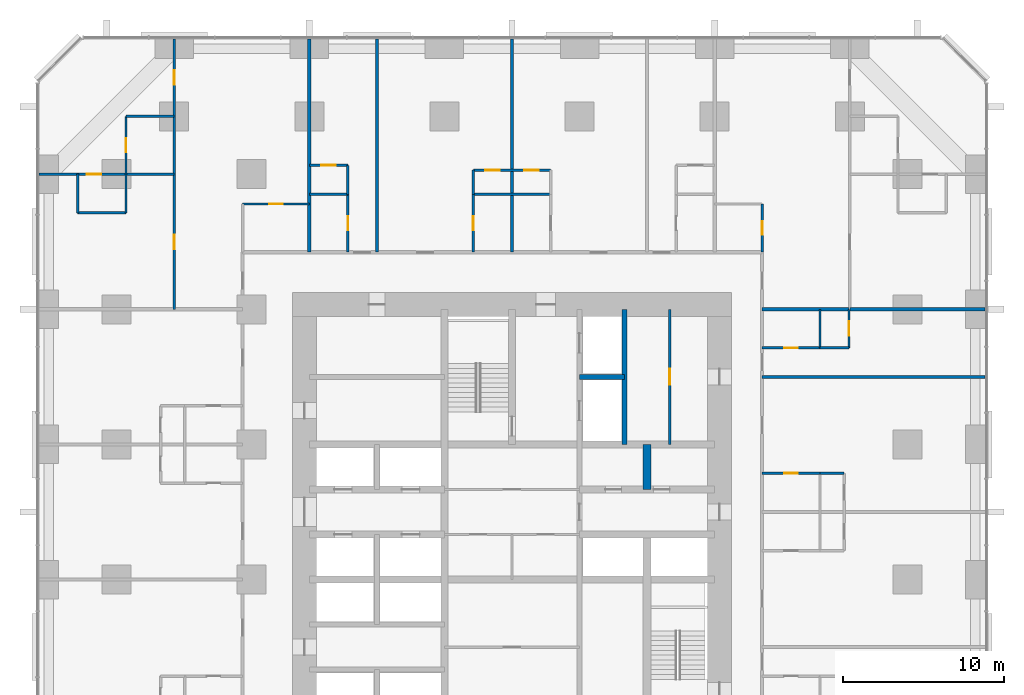
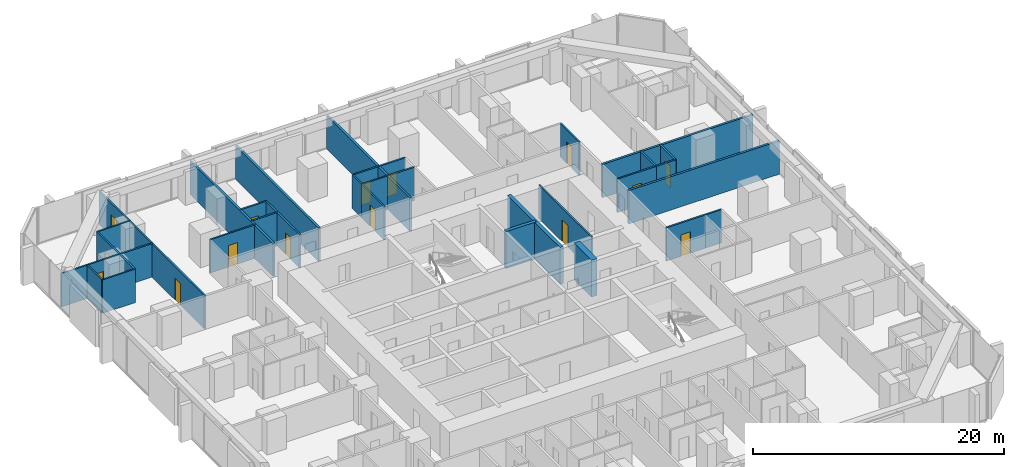
# One storey, part 15 of 17: 33 walls, 15 doors, 15 openings.
"""IFC4 building model written with IfcOpenShell, lengths in metres."""

from ifc_helpers import new_model, si_unit, direction, frame, frame_2d, origin, place, context, subcontext, project, spatial, rectangle, extrude, material, layer, layer_set, type_object, element, fill, save


model = new_model("IFC4")

# Units and contexts
model_context = context("Model", 3, precision=1e-05, world=origin(), true_north=direction((0.0, 1.0)))
body_context = subcontext(model_context, "Body", "Model", "MODEL_VIEW")
ifc_project = project(units=[si_unit("LENGTHUNIT", "METRE"), si_unit("AREAUNIT", "SQUARE_METRE"), si_unit("VOLUMEUNIT", "CUBIC_METRE"), si_unit("PLANEANGLEUNIT", "RADIAN"), si_unit("MASSUNIT", "GRAM", prefix="KILO")], contexts=[model_context])

# Site, building, storey
site_placement = place(None, origin())
site = spatial("IfcSite", under=ifc_project, at=site_placement, CompositionType="ELEMENT")
building_placement = place(site_placement, origin())
building = spatial("IfcBuilding", under=site, at=building_placement, Name="Dunama Terrace Hotel", CompositionType="ELEMENT")
storey_placement = place(building_placement, frame((0.0, 0.0, 73.800048828125)))
storey = spatial("IfcBuildingStorey", under=building, at=storey_placement, Name="L18", CompositionType="ELEMENT", Elevation=73.800048828125)

# Wall, opening, door
ifc_material_1 = material(Name="Gypsum board partition", Category="masonry")
ifc_layer_1 = layer(ifc_material_1, 0.14990234375)
ifc_layer_set_1 = layer_set([ifc_layer_1], Name="Bathroom partition 150")
wall_type_1 = type_object("IfcWallType", Name="Bathroom partition 150", PredefinedType="PARTITIONING", material=ifc_layer_set_1)
wall_1_placement = place(storey_placement, frame((5.39990234375, 50.39990234375, 0.0), z_axis=(0.0, 0.0, 1.0), x_axis=(0.0, 1.0, 0.0)))
wall_1 = element("IfcWall", 1, at=wall_1_placement, inside=storey, type_object=wall_type_1, Name="Bathroom partition 150 L18", PredefinedType="PARTITIONING", context=body_context, shape_type="SweptSolid", body=[
    extrude(rectangle(XDim=3.60009765625, YDim=0.14990234375, at=frame_2d((1.800048828125, 0.0))), origin(), (0.0, 0.0, 1.0), 3.25),
])
opening_1_placement = place(wall_1_placement, frame((1.375, 0.0, 0.0)))
opening_1 = element("IfcOpeningElement", 2, at=opening_1_placement, cuts=wall_1, Name="Opening L17-19-081", PredefinedType="OPENING", context=body_context, shape_type="SweptSolid", body=[
    extrude(rectangle(XDim=0.85009765625, YDim=2.10009765625, at=frame_2d((0.425048828125, 1.050048828125))), frame((0.0, 0.0849609375, 0.0), z_axis=(0.0, -1.0, 0.0), x_axis=(1.0, 0.0, 0.0)), (0.0, 0.0, 1.0), 0.169921875),
])
ifc_material_2 = material(Name="Timber door with steel frame", Category="steel")
door_type_1 = type_object("IfcDoorType", Name="Bathroom door 850", OperationType="SINGLE_SWING_LEFT", PredefinedType="DOOR", material=ifc_material_2)
door_1_placement = place(opening_1_placement, frame((0.85009765625, 0.0, 0.0), z_axis=(0.0, 0.0, 1.0), x_axis=(-1.0, 0.0, 0.0)))
door_1 = element("IfcDoor", 3, at=door_1_placement, inside=storey, type_object=door_type_1, Name="Door to en-suite bathroom L17-19-081, type D2", OperationType="SINGLE_SWING_RIGHT", OverallHeight=2.10009765625, OverallWidth=0.85009765625, PredefinedType="DOOR", context=body_context, shape_type="SweptSolid", body=[
    extrude(rectangle(XDim=0.85009765625, YDim=2.10009765625, at=frame_2d((0.425048828125, 1.050048828125))), frame((0.0, 0.025146484375, 0.0), z_axis=(0.0, -1.0, 0.0), x_axis=(1.0, 0.0, 0.0)), (0.0, 0.0, 1.0), 0.050048828125),
])
fill(opening_1, door_1)

wall_2_placement = place(storey_placement, frame((19.199951171875, 45.550048828125, 0.0), z_axis=(0.0, 0.0, 1.0), x_axis=(0.0, 1.0, 0.0)))
wall_2 = element("IfcWall", 4, at=wall_2_placement, inside=storey, type_object=wall_type_1, Name="Bathroom partition 150 L18", PredefinedType="PARTITIONING", context=body_context, shape_type="SweptSolid", body=[
    extrude(rectangle(XDim=3.599853515625, YDim=0.14990234375, at=frame_2d((1.7998046875, 0.0))), origin(), (0.0, 0.0, 1.0), 3.25),
])
opening_2_placement = place(wall_2_placement, frame((1.375, 0.0, 0.0)))
opening_2 = element("IfcOpeningElement", 5, at=opening_2_placement, cuts=wall_2, Name="Opening L17-19-040", PredefinedType="OPENING", context=body_context, shape_type="SweptSolid", body=[
    extrude(rectangle(XDim=0.85009765625, YDim=2.10009765625, at=frame_2d((0.425048828125, 1.050048828125))), frame((0.0, 0.0849609375, 0.0), z_axis=(0.0, -1.0, 0.0), x_axis=(1.0, 0.0, 0.0)), (0.0, 0.0, 1.0), 0.169921875),
])
door_2_placement = place(opening_2_placement, origin())
door_2 = element("IfcDoor", 6, at=door_2_placement, inside=storey, type_object=door_type_1, Name="Door to en-suite bathroom L17-19-040, type D2", OperationType="SINGLE_SWING_LEFT", OverallHeight=2.10009765625, OverallWidth=0.85009765625, PredefinedType="DOOR", context=body_context, shape_type="SweptSolid", body=[
    extrude(rectangle(XDim=0.85009765625, YDim=2.10009765625, at=frame_2d((0.425048828125, 1.050048828125))), frame((0.0, 0.02490234375, 0.0), z_axis=(0.0, -1.0, 0.0), x_axis=(1.0, 0.0, 0.0)), (0.0, 0.0, 1.0), 0.050048828125),
])
fill(opening_2, door_2)

wall_3_placement = place(storey_placement, frame((27.0, 45.550048828125, 0.0), z_axis=(0.0, 0.0, 1.0), x_axis=(0.0, 1.0, 0.0)))
wall_3 = element("IfcWall", 7, at=wall_3_placement, inside=storey, type_object=wall_type_1, Name="Bathroom partition 150 L18", PredefinedType="PARTITIONING", context=body_context, shape_type="SweptSolid", body=[
    extrude(rectangle(XDim=3.599853515625, YDim=0.14990234375, at=frame_2d((1.7998046875, 0.0))), origin(), (0.0, 0.0, 1.0), 3.25),
])
opening_3_placement = place(wall_3_placement, frame((1.375, 0.0, 0.0)))
opening_3 = element("IfcOpeningElement", 8, at=opening_3_placement, cuts=wall_3, Name="Opening L17-19-043", PredefinedType="OPENING", context=body_context, shape_type="SweptSolid", body=[
    extrude(rectangle(XDim=0.85009765625, YDim=2.10009765625, at=frame_2d((0.425048828125, 1.050048828125))), frame((0.0, 0.0849609375, 0.0), z_axis=(0.0, -1.0, 0.0), x_axis=(1.0, 0.0, 0.0)), (0.0, 0.0, 1.0), 0.169921875),
])
door_3_placement = place(opening_3_placement, frame((0.85009765625, 0.0, 0.0), z_axis=(0.0, 0.0, 1.0), x_axis=(-1.0, 0.0, 0.0)))
door_3 = element("IfcDoor", 9, at=door_3_placement, inside=storey, type_object=door_type_1, Name="Door to en-suite bathroom L17-19-043, type D2", OperationType="SINGLE_SWING_RIGHT", OverallHeight=2.10009765625, OverallWidth=0.85009765625, PredefinedType="DOOR", context=body_context, shape_type="SweptSolid", body=[
    extrude(rectangle(XDim=0.85009765625, YDim=2.10009765625, at=frame_2d((0.425048828125, 1.050048828125))), frame((0.0, 0.025146484375, 0.0), z_axis=(0.0, -1.0, 0.0), x_axis=(1.0, 0.0, 0.0)), (0.0, 0.0, 1.0), 0.050048828125),
])
fill(opening_3, door_3)

wall_4_placement = place(storey_placement, frame((44.949951171875, 45.550048828125, 0.0), z_axis=(0.0, 0.0, 1.0), x_axis=(0.0, 1.0, 0.0)))
wall_4 = element("IfcWall", 10, at=wall_4_placement, inside=storey, type_object=wall_type_1, Name="Bathroom partition 150 L18", PredefinedType="PARTITIONING", context=body_context, shape_type="SweptSolid", body=[
    extrude(rectangle(XDim=3.0, YDim=0.14990234375, at=frame_2d((1.5, 0.0))), origin(), (0.0, 0.0, 1.0), 3.25),
])
opening_4_placement = place(wall_4_placement, frame((1.074951171875, 0.0, 0.0)))
opening_4 = element("IfcOpeningElement", 11, at=opening_4_placement, cuts=wall_4, Name="Opening L17-19-073", PredefinedType="OPENING", context=body_context, shape_type="SweptSolid", body=[
    extrude(rectangle(XDim=0.85009765625, YDim=2.10009765625, at=frame_2d((0.425048828125, 1.050048828125))), frame((0.0, 0.0849609375, 0.0), z_axis=(0.0, -1.0, 0.0), x_axis=(1.0, 0.0, 0.0)), (0.0, 0.0, 1.0), 0.169921875),
])
door_4_placement = place(opening_4_placement, origin())
door_4 = element("IfcDoor", 12, at=door_4_placement, inside=storey, type_object=door_type_1, Name="Door to powder room L17-19-073, type D2", OperationType="SINGLE_SWING_LEFT", OverallHeight=2.10009765625, OverallWidth=0.85009765625, PredefinedType="DOOR", context=body_context, shape_type="SweptSolid", body=[
    extrude(rectangle(XDim=0.85009765625, YDim=2.10009765625, at=frame_2d((0.425048828125, 1.050048828125))), frame((0.0, 0.02490234375, 0.0), z_axis=(0.0, -1.0, 0.0), x_axis=(1.0, 0.0, 0.0)), (0.0, 0.0, 1.0), 0.050048828125),
])
fill(opening_4, door_4)

wall_5_placement = place(storey_placement, frame((44.949951171875, 31.800048828125, 0.0), z_axis=(0.0, 0.0, 1.0), x_axis=(1.0, 0.0, 0.0)))
wall_5 = element("IfcWall", 13, at=wall_5_placement, inside=storey, type_object=wall_type_1, Name="Bathroom partition 150 L18", PredefinedType="PARTITIONING", context=body_context, shape_type="SweptSolid", body=[
    extrude(rectangle(XDim=3.60009765625, YDim=0.14990234375, at=frame_2d((1.800048828125, 0.0))), origin(), (0.0, 0.0, 1.0), 3.25),
])
opening_5_placement = place(wall_5_placement, frame((1.375, 0.0, 0.0)))
opening_5 = element("IfcOpeningElement", 14, at=opening_5_placement, cuts=wall_5, Name="Opening L17-19-034", PredefinedType="OPENING", context=body_context, shape_type="SweptSolid", body=[
    extrude(rectangle(XDim=0.85009765625, YDim=2.10009765625, at=frame_2d((0.425048828125, 1.050048828125))), frame((0.0, 0.0849609375, 0.0), z_axis=(0.0, -1.0, 0.0), x_axis=(1.0, 0.0, 0.0)), (0.0, 0.0, 1.0), 0.169921875),
])
door_5_placement = place(opening_5_placement, frame((0.85009765625, 0.0, 0.0), z_axis=(0.0, 0.0, 1.0), x_axis=(-1.0, 0.0, 0.0)))
door_5 = element("IfcDoor", 15, at=door_5_placement, inside=storey, type_object=door_type_1, Name="Door to en-suite bathroom L17-19-034, type D2", OperationType="SINGLE_SWING_RIGHT", OverallHeight=2.10009765625, OverallWidth=0.85009765625, PredefinedType="DOOR", context=body_context, shape_type="SweptSolid", body=[
    extrude(rectangle(XDim=0.85009765625, YDim=2.10009765625, at=frame_2d((0.425048828125, 1.050048828125))), frame((0.0, 0.025146484375, 0.0), z_axis=(0.0, -1.0, 0.0), x_axis=(1.0, 0.0, 0.0)), (0.0, 0.0, 1.0), 0.050048828125),
])
fill(opening_5, door_5)

wall_6_placement = place(storey_placement, frame((44.949951171875, 39.60009765625, 0.0), z_axis=(0.0, 0.0, 1.0), x_axis=(1.0, 0.0, 0.0)))
wall_6 = element("IfcWall", 16, at=wall_6_placement, inside=storey, type_object=wall_type_1, Name="Bathroom partition 150 L18", PredefinedType="PARTITIONING", context=body_context, shape_type="SweptSolid", body=[
    extrude(rectangle(XDim=3.60009765625, YDim=0.14990234375, at=frame_2d((1.800048828125, 0.0))), origin(), (0.0, 0.0, 1.0), 3.25),
])
opening_6_placement = place(wall_6_placement, frame((1.375, 0.0, 0.0)))
opening_6 = element("IfcOpeningElement", 17, at=opening_6_placement, cuts=wall_6, Name="Opening L17-19-037", PredefinedType="OPENING", context=body_context, shape_type="SweptSolid", body=[
    extrude(rectangle(XDim=0.85009765625, YDim=2.10009765625, at=frame_2d((0.425048828125, 1.050048828125))), frame((0.0, 0.0849609375, 0.0), z_axis=(0.0, -1.0, 0.0), x_axis=(1.0, 0.0, 0.0)), (0.0, 0.0, 1.0), 0.169921875),
])
door_6_placement = place(opening_6_placement, origin())
door_6 = element("IfcDoor", 18, at=door_6_placement, inside=storey, type_object=door_type_1, Name="Door to en-suite bathroom L17-19-037, type D2", OperationType="SINGLE_SWING_LEFT", OverallHeight=2.10009765625, OverallWidth=0.85009765625, PredefinedType="DOOR", context=body_context, shape_type="SweptSolid", body=[
    extrude(rectangle(XDim=0.85009765625, YDim=2.10009765625, at=frame_2d((0.425048828125, 1.050048828125))), frame((0.0, 0.02490234375, 0.0), z_axis=(0.0, -1.0, 0.0), x_axis=(1.0, 0.0, 0.0)), (0.0, 0.0, 1.0), 0.050048828125),
])
fill(opening_6, door_6)

wall_7_placement = place(storey_placement, frame((12.64990234375, 48.550048828125, 0.0), z_axis=(0.0, 0.0, 1.0), x_axis=(1.0, 0.0, 0.0)))
wall_7 = element("IfcWall", 19, at=wall_7_placement, inside=storey, type_object=wall_type_1, Name="Bathroom partition 150 L18", PredefinedType="PARTITIONING", context=body_context, shape_type="SweptSolid", body=[
    extrude(rectangle(XDim=4.150146484375, YDim=0.14990234375, at=frame_2d((2.0751953125, 0.0))), origin(), (0.0, 0.0, 1.0), 3.25),
])
opening_7_placement = place(wall_7_placement, frame((1.64990234375, 0.0, 0.0)))
opening_7 = element("IfcOpeningElement", 20, at=opening_7_placement, cuts=wall_7, Name="Opening L17-19-079", PredefinedType="OPENING", context=body_context, shape_type="SweptSolid", body=[
    extrude(rectangle(XDim=0.85009765625, YDim=2.10009765625, at=frame_2d((0.425048828125, 1.050048828125))), frame((0.0, 0.0849609375, 0.0), z_axis=(0.0, -1.0, 0.0), x_axis=(1.0, 0.0, 0.0)), (0.0, 0.0, 1.0), 0.169921875),
])
door_7_placement = place(opening_7_placement, frame((0.85009765625, 0.0, 0.0), z_axis=(0.0, 0.0, 1.0), x_axis=(-1.0, 0.0, 0.0)))
door_7 = element("IfcDoor", 21, at=door_7_placement, inside=storey, type_object=door_type_1, Name="Door to powder room L17-19-079, type D2", OperationType="SINGLE_SWING_RIGHT", OverallHeight=2.10009765625, OverallWidth=0.85009765625, PredefinedType="DOOR", context=body_context, shape_type="SweptSolid", body=[
    extrude(rectangle(XDim=0.85009765625, YDim=2.10009765625, at=frame_2d((0.425048828125, 1.050048828125))), frame((0.0, 0.025146484375, 0.0), z_axis=(0.0, -1.0, 0.0), x_axis=(1.0, 0.0, 0.0)), (0.0, 0.0, 1.0), 0.050048828125),
])
fill(opening_7, door_7)

# Walls
wall_8_placement = place(storey_placement, frame((5.39990234375, 54.0, 0.0), z_axis=(0.0, 0.0, 1.0), x_axis=(1.0, 0.0, 0.0)))
element("IfcWall", 22, at=wall_8_placement, inside=storey, type_object=wall_type_1, Name="Bathroom partition 150 L18", PredefinedType="PARTITIONING", context=body_context, shape_type="SweptSolid", body=[
    extrude(rectangle(XDim=3.0, YDim=0.14990234375, at=frame_2d((1.5, 0.0))), origin(), (0.0, 0.0, 1.0), 3.25),
])
ifc_material_3 = material(Name="Concrete C50/60", Category="concrete")
ifc_layer_2 = layer(ifc_material_3, 0.300048828125)
ifc_layer_set_2 = layer_set([ifc_layer_2], Name="Core inner wall 300")
wall_type_2 = type_object("IfcWallType", Name="Core inner wall 300", PredefinedType="SHEAR", material=ifc_layer_set_2)
wall_9_placement = place(storey_placement, frame((36.39990234375, 33.60009765625, -0.35009765625), z_axis=(0.0, 0.0, 1.0), x_axis=(0.0, 1.0, 0.0)))
element("IfcWall", 23, at=wall_9_placement, inside=storey, type_object=wall_type_2, Name="Core inner wall 300 L18", PredefinedType="SHEAR", context=body_context, shape_type="SweptSolid", body=[
    extrude(rectangle(XDim=8.39990234375, YDim=0.300048828125, at=frame_2d((4.199951171875, 0.0))), origin(), (0.0, 0.0, 1.0), 3.60009765625),
])
wall_10_placement = place(storey_placement, frame((33.60009765625, 37.800048828125, -0.35009765625), z_axis=(0.0, 0.0, 1.0), x_axis=(1.0, 0.0, 0.0)))
element("IfcWall", 24, at=wall_10_placement, inside=storey, type_object=wall_type_2, Name="Core inner wall 300 L18", PredefinedType="SHEAR", context=body_context, shape_type="SweptSolid", body=[
    extrude(rectangle(XDim=2.7998046875, YDim=0.300048828125, at=frame_2d((1.39990234375, 0.0))), origin(), (0.0, 0.0, 1.0), 3.60009765625),
])
ifc_material_4 = material(Name="Concrete C50/60", Category="concrete")
ifc_layer_3 = layer(ifc_material_4, 0.5)
ifc_layer_set_3 = layer_set([ifc_layer_3], Name="Core inner wall 500")
wall_type_3 = type_object("IfcWallType", Name="Core inner wall 500", PredefinedType="SHEAR", material=ifc_layer_set_3)
wall_11_placement = place(storey_placement, frame((37.800048828125, 30.800048828125, -0.35009765625), z_axis=(0.0, 0.0, 1.0), x_axis=(0.0, 1.0, 0.0)))
element("IfcWall", 25, at=wall_11_placement, inside=storey, type_object=wall_type_3, Name="Core inner wall 500 L18", PredefinedType="SHEAR", context=body_context, shape_type="SweptSolid", body=[
    extrude(rectangle(XDim=2.800048828125, YDim=0.5, at=frame_2d((1.39990234375, 0.0))), origin(), (0.0, 0.0, 1.0), 3.60009765625),
])
ifc_material_5 = material(Name="Concrete blockwork", Category="masonry")
ifc_layer_4 = layer(ifc_material_5, 0.199951171875)
ifc_layer_set_4 = layer_set([ifc_layer_4], Name="Party wall 200")
wall_type_4 = type_object("IfcWallType", Name="Party wall 200", PredefinedType="PARTITIONING", material=ifc_layer_set_4)
for number, where, z_axis, x_axis, name in (
    (26, (16.800048828125, 45.550048828125, 0.0), (0.0, 0.0, 1.0), (0.0, 1.0, 0.0), "Party wall 200 L18"),
    (27, (21.0, 45.550048828125, 0.0), (0.0, 0.0, 1.0), (0.0, 1.0, 0.0), "Party wall 200 L18"),
    (28, (29.39990234375, 45.550048828125, 0.0), (0.0, 0.0, 1.0), (0.0, 1.0, 0.0), "Party wall 200 L18"),
):
    element("IfcWall", number, at=place(storey_placement, frame(where, z_axis=z_axis, x_axis=x_axis)), inside=storey, type_object=wall_type_4, Name=name, PredefinedType="PARTITIONING", context=body_context, shape_type="SweptSolid", body=[
        extrude(rectangle(XDim=13.258056640625, YDim=0.199951171875, at=frame_2d((6.62890625, 0.0))), origin(), (0.0, 0.0, 1.0), 3.25),
    ])
wall_12_placement = place(storey_placement, frame((44.949951171875, 37.800048828125, 0.0), z_axis=(0.0, 0.0, 1.0), x_axis=(1.0, 0.0, 0.0)))
element("IfcWall", 29, at=wall_12_placement, inside=storey, type_object=wall_type_4, Name="Party wall 200 L18", PredefinedType="PARTITIONING", context=body_context, shape_type="SweptSolid", body=[
    extrude(rectangle(XDim=13.858154296875, YDim=0.199951171875, at=frame_2d((6.92919921875, 0.0))), origin(), (0.0, 0.0, 1.0), 3.25),
])
wall_13_placement = place(storey_placement, frame((44.949951171875, 42.0, 0.0), z_axis=(0.0, 0.0, 1.0), x_axis=(1.0, 0.0, 0.0)))
element("IfcWall", 30, at=wall_13_placement, inside=storey, type_object=wall_type_4, Name="Party wall 200 L18", PredefinedType="PARTITIONING", context=body_context, shape_type="SweptSolid", body=[
    extrude(rectangle(XDim=5.400146484375, YDim=0.199951171875, at=frame_2d((2.7001953125, 0.0))), origin(), (0.0, 0.0, 1.0), 3.25),
])
wall_14_placement = place(storey_placement, frame((50.39990234375, 42.0, 0.0), z_axis=(0.0, 0.0, 1.0), x_axis=(1.0, 0.0, 0.0)))
element("IfcWall", 31, at=wall_14_placement, inside=storey, type_object=wall_type_4, Name="Party wall 200 L18", PredefinedType="PARTITIONING", context=body_context, shape_type="SweptSolid", body=[
    extrude(rectangle(XDim=8.408203125, YDim=0.199951171875, at=frame_2d((4.2041015625, 0.0))), origin(), (0.0, 0.0, 1.0), 3.25),
])
ifc_material_6 = material(Name="Gypsum board partition", Category="masonry")
ifc_layer_5 = layer(ifc_material_6, 0.14990234375)
ifc_layer_set_5 = layer_set([ifc_layer_5], Name="Room partition 150")
wall_type_5 = type_object("IfcWallType", Name="Room partition 150", PredefinedType="PARTITIONING", material=ifc_layer_set_5)
for number, where, z_axis, x_axis, name in (
    (32, (2.39990234375, 48.0, 0.0), (0.0, 0.0, 1.0), (0.0, 1.0, 0.0), "Room partition 150 L18"),
    (33, (5.39990234375, 48.0, 0.0), (0.0, 0.0, 1.0), (0.0, 1.0, 0.0), "Room partition 150 L18"),
):
    element("IfcWall", number, at=place(storey_placement, frame(where, z_axis=z_axis, x_axis=x_axis)), inside=storey, type_object=wall_type_5, Name=name, PredefinedType="PARTITIONING", context=body_context, shape_type="SweptSolid", body=[
        extrude(rectangle(XDim=2.39990234375, YDim=0.14990234375, at=frame_2d((1.199951171875, 0.0))), origin(), (0.0, 0.0, 1.0), 3.25),
    ])

# Wall, openings, doors
wall_15_placement = place(storey_placement, frame((8.39990234375, 42.0, 0.0), z_axis=(0.0, 0.0, 1.0), x_axis=(0.0, 1.0, 0.0)))
wall_15 = element("IfcWall", 34, at=wall_15_placement, inside=storey, type_object=wall_type_5, Name="Room partition 150 L18", PredefinedType="PARTITIONING", context=body_context, shape_type="SweptSolid", body=[
    extrude(rectangle(XDim=16.80810546875, YDim=0.14990234375, at=frame_2d((8.404052734375, 0.0))), origin(), (0.0, 0.0, 1.0), 3.25),
])
opening_8_placement = place(wall_15_placement, frame((13.949951171875, 0.0, 0.0)))
opening_8 = element("IfcOpeningElement", 35, at=opening_8_placement, cuts=wall_15, Name="Opening L17-19-080", PredefinedType="OPENING", context=body_context, shape_type="SweptSolid", body=[
    extrude(rectangle(XDim=0.89990234375, YDim=2.10009765625, at=frame_2d((0.449951171875, 1.050048828125))), frame((0.0, 0.0849609375, 0.0), z_axis=(0.0, -1.0, 0.0), x_axis=(1.0, 0.0, 0.0)), (0.0, 0.0, 1.0), 0.169921875),
])
opening_9_placement = place(wall_15_placement, frame((3.75, 0.0, 0.0)))
opening_9 = element("IfcOpeningElement", 36, at=opening_9_placement, cuts=wall_15, Name="Opening L17-19-083", PredefinedType="OPENING", context=body_context, shape_type="SweptSolid", body=[
    extrude(rectangle(XDim=0.89990234375, YDim=2.10009765625, at=frame_2d((0.449951171875, 1.050048828125))), frame((0.0, 0.0849609375, 0.0), z_axis=(0.0, -1.0, 0.0), x_axis=(1.0, 0.0, 0.0)), (0.0, 0.0, 1.0), 0.169921875),
])
ifc_material_7 = material(Name="Timber door with steel frame", Category="steel")
door_type_2 = type_object("IfcDoorType", Name="Suite internal door 900", OperationType="SINGLE_SWING_LEFT", PredefinedType="DOOR", material=ifc_material_7)
door_8_placement = place(opening_8_placement, origin())
door_8 = element("IfcDoor", 37, at=door_8_placement, inside=storey, type_object=door_type_2, Name="Door to corner suite bedroom L17-19-080, type D16", OperationType="SINGLE_SWING_RIGHT", OverallHeight=2.10009765625, OverallWidth=0.89990234375, PredefinedType="DOOR", context=body_context, shape_type="SweptSolid", body=[
    extrude(rectangle(XDim=0.89990234375, YDim=2.10009765625, at=frame_2d((0.449951171875, 1.050048828125))), frame((0.0, 0.02490234375, 0.0), z_axis=(0.0, -1.0, 0.0), x_axis=(1.0, 0.0, 0.0)), (0.0, 0.0, 1.0), 0.050048828125),
])
fill(opening_8, door_8)
door_9_placement = place(opening_9_placement, origin())
door_9 = element("IfcDoor", 38, at=door_9_placement, inside=storey, type_object=door_type_2, Name="Door to corner suite study L17-19-083, type D16", OperationType="SINGLE_SWING_RIGHT", OverallHeight=2.10009765625, OverallWidth=0.89990234375, PredefinedType="DOOR", context=body_context, shape_type="SweptSolid", body=[
    extrude(rectangle(XDim=0.89990234375, YDim=2.10009765625, at=frame_2d((0.449951171875, 1.050048828125))), frame((0.0, 0.02490234375, 0.0), z_axis=(0.0, -1.0, 0.0), x_axis=(1.0, 0.0, 0.0)), (0.0, 0.0, 1.0), 0.050048828125),
])
fill(opening_9, door_9)

# Walls
wall_16_placement = place(storey_placement, frame((19.199951171875, 49.14990234375, 0.0), z_axis=(0.0, 0.0, 1.0), x_axis=(0.0, 1.0, 0.0)))
element("IfcWall", 39, at=wall_16_placement, inside=storey, type_object=wall_type_5, Name="Room partition 150 L18", PredefinedType="PARTITIONING", context=body_context, shape_type="SweptSolid", body=[
    extrude(rectangle(XDim=1.800048828125, YDim=0.14990234375, at=frame_2d((0.89990234375, 0.0))), origin(), (0.0, 0.0, 1.0), 3.25),
])
wall_17_placement = place(storey_placement, frame((27.0, 49.14990234375, 0.0), z_axis=(0.0, 0.0, 1.0), x_axis=(0.0, 1.0, 0.0)))
element("IfcWall", 40, at=wall_17_placement, inside=storey, type_object=wall_type_5, Name="Room partition 150 L18", PredefinedType="PARTITIONING", context=body_context, shape_type="SweptSolid", body=[
    extrude(rectangle(XDim=1.5, YDim=0.14990234375, at=frame_2d((0.75, 0.0))), origin(), (0.0, 0.0, 1.0), 3.25),
])

# Wall, opening, door
wall_18_placement = place(storey_placement, frame((39.199951171875, 33.60009765625, 0.0), z_axis=(0.0, 0.0, 1.0), x_axis=(0.0, 1.0, 0.0)))
wall_18 = element("IfcWall", 41, at=wall_18_placement, inside=storey, type_object=wall_type_5, Name="Room partition 150 L18", PredefinedType="PARTITIONING", context=body_context, shape_type="SweptSolid", body=[
    extrude(rectangle(XDim=8.39990234375, YDim=0.14990234375, at=frame_2d((4.199951171875, 0.0))), origin(), (0.0, 0.0, 1.0), 3.25),
])
opening_10_placement = place(wall_18_placement, frame((3.699951171875, 0.0, 0.0)))
opening_10 = element("IfcOpeningElement", 42, at=opening_10_placement, cuts=wall_18, Name="Opening L17-19-097", PredefinedType="OPENING", context=body_context, shape_type="SweptSolid", body=[
    extrude(rectangle(XDim=1.0, YDim=2.10009765625, at=frame_2d((0.5, 1.050048828125))), frame((0.0, 0.0849609375, 0.0), z_axis=(0.0, -1.0, 0.0), x_axis=(1.0, 0.0, 0.0)), (0.0, 0.0, 1.0), 0.169921875),
])
ifc_material_8 = material(Name="Timber door with steel frame", Category="steel")
door_type_3 = type_object("IfcDoorType", Name="Service door 1000", OperationType="SINGLE_SWING_LEFT", PredefinedType="DOOR", material=ifc_material_8)
door_10_placement = place(opening_10_placement, frame((1.0, 0.0, 0.0), z_axis=(0.0, 0.0, 1.0), x_axis=(-1.0, 0.0, 0.0)))
door_10 = element("IfcDoor", 43, at=door_10_placement, inside=storey, type_object=door_type_3, Name="Door to guest amenities store L17-19-097, type D7", OperationType="SINGLE_SWING_RIGHT", OverallHeight=2.10009765625, OverallWidth=1.0, PredefinedType="DOOR", context=body_context, shape_type="SweptSolid", body=[
    extrude(rectangle(XDim=1.0, YDim=2.10009765625, at=frame_2d((0.5, 1.050048828125))), frame((0.0, 0.025146484375, 0.0), z_axis=(0.0, -1.0, 0.0), x_axis=(1.0, 0.0, 0.0)), (0.0, 0.0, 1.0), 0.050048828125),
])
fill(opening_10, door_10)

# Wall
wall_19_placement = place(storey_placement, frame((48.550048828125, 39.60009765625, 0.0), z_axis=(0.0, 0.0, 1.0), x_axis=(0.0, 1.0, 0.0)))
element("IfcWall", 44, at=wall_19_placement, inside=storey, type_object=wall_type_5, Name="Room partition 150 L18", PredefinedType="PARTITIONING", context=body_context, shape_type="SweptSolid", body=[
    extrude(rectangle(XDim=2.39990234375, YDim=0.14990234375, at=frame_2d((1.199951171875, 0.0))), origin(), (0.0, 0.0, 1.0), 3.25),
])

# Wall, opening, door
wall_20_placement = place(storey_placement, frame((50.35009765625, 39.60009765625, 0.0), z_axis=(0.0, 0.0, 1.0), x_axis=(0.0, 1.0, 0.0)))
wall_20 = element("IfcWall", 45, at=wall_20_placement, inside=storey, type_object=wall_type_5, Name="Room partition 150 L18", PredefinedType="PARTITIONING", context=body_context, shape_type="SweptSolid", body=[
    extrude(rectangle(XDim=2.39990234375, YDim=0.14990234375, at=frame_2d((1.199951171875, 0.0))), origin(), (0.0, 0.0, 1.0), 3.25),
])
opening_11_placement = place(wall_20_placement, frame((0.75, 0.0, 0.0)))
opening_11 = element("IfcOpeningElement", 46, at=opening_11_placement, cuts=wall_20, Name="Opening L17-19-038", PredefinedType="OPENING", context=body_context, shape_type="SweptSolid", body=[
    extrude(rectangle(XDim=0.89990234375, YDim=2.10009765625, at=frame_2d((0.449951171875, 1.050048828125))), frame((0.0, 0.0849609375, 0.0), z_axis=(0.0, -1.0, 0.0), x_axis=(1.0, 0.0, 0.0)), (0.0, 0.0, 1.0), 0.169921875),
])
door_11_placement = place(opening_11_placement, origin())
door_11 = element("IfcDoor", 47, at=door_11_placement, inside=storey, type_object=door_type_2, Name="Door to walk-in wardrobe L17-19-038, type D16", OperationType="SINGLE_SWING_RIGHT", OverallHeight=2.10009765625, OverallWidth=0.89990234375, PredefinedType="DOOR", context=body_context, shape_type="SweptSolid", body=[
    extrude(rectangle(XDim=0.89990234375, YDim=2.10009765625, at=frame_2d((0.449951171875, 1.050048828125))), frame((0.0, 0.02490234375, 0.0), z_axis=(0.0, -1.0, 0.0), x_axis=(1.0, 0.0, 0.0)), (0.0, 0.0, 1.0), 0.050048828125),
])
fill(opening_11, door_11)

# Walls
wall_21_placement = place(storey_placement, frame((48.550048828125, 31.800048828125, 0.0), z_axis=(0.0, 0.0, 1.0), x_axis=(1.0, 0.0, 0.0)))
element("IfcWall", 48, at=wall_21_placement, inside=storey, type_object=wall_type_5, Name="Room partition 150 L18", PredefinedType="PARTITIONING", context=body_context, shape_type="SweptSolid", body=[
    extrude(rectangle(XDim=1.5, YDim=0.14990234375, at=frame_2d((0.75, 0.0))), origin(), (0.0, 0.0, 1.0), 3.25),
])
wall_22_placement = place(storey_placement, frame((48.550048828125, 39.60009765625, 0.0), z_axis=(0.0, 0.0, 1.0), x_axis=(1.0, 0.0, 0.0)))
element("IfcWall", 49, at=wall_22_placement, inside=storey, type_object=wall_type_5, Name="Room partition 150 L18", PredefinedType="PARTITIONING", context=body_context, shape_type="SweptSolid", body=[
    extrude(rectangle(XDim=1.800048828125, YDim=0.14990234375, at=frame_2d((0.89990234375, 0.0))), origin(), (0.0, 0.0, 1.0), 3.25),
])
wall_23_placement = place(storey_placement, frame((2.39990234375, 48.0, 0.0), z_axis=(0.0, 0.0, 1.0), x_axis=(1.0, 0.0, 0.0)))
element("IfcWall", 50, at=wall_23_placement, inside=storey, type_object=wall_type_5, Name="Room partition 150 L18", PredefinedType="PARTITIONING", context=body_context, shape_type="SweptSolid", body=[
    extrude(rectangle(XDim=3.0, YDim=0.14990234375, at=frame_2d((1.5, 0.0))), origin(), (0.0, 0.0, 1.0), 3.25),
])
wall_24_placement = place(storey_placement, frame((16.800048828125, 49.14990234375, 0.0), z_axis=(0.0, 0.0, 1.0), x_axis=(1.0, 0.0, 0.0)))
element("IfcWall", 51, at=wall_24_placement, inside=storey, type_object=wall_type_5, Name="Room partition 150 L18", PredefinedType="PARTITIONING", context=body_context, shape_type="SweptSolid", body=[
    extrude(rectangle(XDim=2.39990234375, YDim=0.14990234375, at=frame_2d((1.199951171875, 0.0))), origin(), (0.0, 0.0, 1.0), 3.25),
])
wall_25_placement = place(storey_placement, frame((27.0, 49.14990234375, 0.0), z_axis=(0.0, 0.0, 1.0), x_axis=(1.0, 0.0, 0.0)))
element("IfcWall", 52, at=wall_25_placement, inside=storey, type_object=wall_type_5, Name="Room partition 150 L18", PredefinedType="PARTITIONING", context=body_context, shape_type="SweptSolid", body=[
    extrude(rectangle(XDim=4.800048828125, YDim=0.14990234375, at=frame_2d((2.39990234375, 0.0))), origin(), (0.0, 0.0, 1.0), 3.25),
])

# Wall, opening, door
wall_26_placement = place(storey_placement, frame((-0.008056640625, 50.39990234375, 0.0), z_axis=(0.0, 0.0, 1.0), x_axis=(1.0, 0.0, 0.0)))
wall_26 = element("IfcWall", 53, at=wall_26_placement, inside=storey, type_object=wall_type_5, Name="Room partition 150 L18", PredefinedType="PARTITIONING", context=body_context, shape_type="SweptSolid", body=[
    extrude(rectangle(XDim=8.407958984375, YDim=0.14990234375, at=frame_2d((4.2041015625, 0.0))), origin(), (0.0, 0.0, 1.0), 3.25),
])
opening_12_placement = place(wall_26_placement, frame((2.9580078125, 0.0, 0.0)))
opening_12 = element("IfcOpeningElement", 54, at=opening_12_placement, cuts=wall_26, Name="Opening L17-19-082", PredefinedType="OPENING", context=body_context, shape_type="SweptSolid", body=[
    extrude(rectangle(XDim=0.89990234375, YDim=2.10009765625, at=frame_2d((0.449951171875, 1.050048828125))), frame((0.0, 0.0849609375, 0.0), z_axis=(0.0, -1.0, 0.0), x_axis=(1.0, 0.0, 0.0)), (0.0, 0.0, 1.0), 0.169921875),
])
door_12_placement = place(opening_12_placement, frame((0.89990234375, 0.0, 0.0), z_axis=(0.0, 0.0, 1.0), x_axis=(-1.0, 0.0, 0.0)))
door_12 = element("IfcDoor", 55, at=door_12_placement, inside=storey, type_object=door_type_2, Name="Door to dressing room L17-19-082, type D16", OperationType="SINGLE_SWING_LEFT", OverallHeight=2.10009765625, OverallWidth=0.89990234375, PredefinedType="DOOR", context=body_context, shape_type="SweptSolid", body=[
    extrude(rectangle(XDim=0.89990234375, YDim=2.10009765625, at=frame_2d((0.449951171875, 1.050048828125))), frame((0.0, 0.025146484375, 0.0), z_axis=(0.0, -1.0, 0.0), x_axis=(1.0, 0.0, 0.0)), (0.0, 0.0, 1.0), 0.050048828125),
])
fill(opening_12, door_12)

# Wall, openings, doors
wall_27_placement = place(storey_placement, frame((27.0, 50.64990234375, 0.0), z_axis=(0.0, 0.0, 1.0), x_axis=(1.0, 0.0, 0.0)))
wall_27 = element("IfcWall", 56, at=wall_27_placement, inside=storey, type_object=wall_type_5, Name="Room partition 150 L18", PredefinedType="PARTITIONING", context=body_context, shape_type="SweptSolid", body=[
    extrude(rectangle(XDim=4.800048828125, YDim=0.14990234375, at=frame_2d((2.39990234375, 0.0))), origin(), (0.0, 0.0, 1.0), 3.25),
])
opening_13_placement = place(wall_27_placement, frame((0.75, 0.0, 0.0)))
opening_13 = element("IfcOpeningElement", 57, at=opening_13_placement, cuts=wall_27, Name="Opening L17-19-044", PredefinedType="OPENING", context=body_context, shape_type="SweptSolid", body=[
    extrude(rectangle(XDim=0.89990234375, YDim=2.10009765625, at=frame_2d((0.449951171875, 1.050048828125))), frame((0.0, 0.0849609375, 0.0), z_axis=(0.0, -1.0, 0.0), x_axis=(1.0, 0.0, 0.0)), (0.0, 0.0, 1.0), 0.169921875),
])
opening_14_placement = place(wall_27_placement, frame((3.14990234375, 0.0, 0.0)))
opening_14 = element("IfcOpeningElement", 58, at=opening_14_placement, cuts=wall_27, Name="Opening L17-19-047", PredefinedType="OPENING", context=body_context, shape_type="SweptSolid", body=[
    extrude(rectangle(XDim=0.89990234375, YDim=2.10009765625, at=frame_2d((0.449951171875, 1.050048828125))), frame((0.0, 0.0849609375, 0.0), z_axis=(0.0, -1.0, 0.0), x_axis=(1.0, 0.0, 0.0)), (0.0, 0.0, 1.0), 0.169921875),
])
door_13_placement = place(opening_13_placement, frame((0.89990234375, 0.0, 0.0), z_axis=(0.0, 0.0, 1.0), x_axis=(-1.0, 0.0, 0.0)))
door_13 = element("IfcDoor", 59, at=door_13_placement, inside=storey, type_object=door_type_2, Name="Door to walk-in wardrobe L17-19-044, type D16", OperationType="SINGLE_SWING_RIGHT", OverallHeight=2.10009765625, OverallWidth=0.89990234375, PredefinedType="DOOR", context=body_context, shape_type="SweptSolid", body=[
    extrude(rectangle(XDim=0.89990234375, YDim=2.10009765625, at=frame_2d((0.449951171875, 1.050048828125))), frame((0.0, 0.025146484375, 0.0), z_axis=(0.0, -1.0, 0.0), x_axis=(1.0, 0.0, 0.0)), (0.0, 0.0, 1.0), 0.050048828125),
])
fill(opening_13, door_13)
door_14_placement = place(opening_14_placement, frame((0.89990234375, 0.0, 0.0), z_axis=(0.0, 0.0, 1.0), x_axis=(-1.0, 0.0, 0.0)))
door_14 = element("IfcDoor", 60, at=door_14_placement, inside=storey, type_object=door_type_2, Name="Door to walk-in wardrobe L17-19-047, type D16", OperationType="SINGLE_SWING_RIGHT", OverallHeight=2.10009765625, OverallWidth=0.89990234375, PredefinedType="DOOR", context=body_context, shape_type="SweptSolid", body=[
    extrude(rectangle(XDim=0.89990234375, YDim=2.10009765625, at=frame_2d((0.449951171875, 1.050048828125))), frame((0.0, 0.025146484375, 0.0), z_axis=(0.0, -1.0, 0.0), x_axis=(1.0, 0.0, 0.0)), (0.0, 0.0, 1.0), 0.050048828125),
])
fill(opening_14, door_14)

# Wall, opening, door
wall_28_placement = place(storey_placement, frame((16.800048828125, 50.949951171875, 0.0), z_axis=(0.0, 0.0, 1.0), x_axis=(1.0, 0.0, 0.0)))
wall_28 = element("IfcWall", 61, at=wall_28_placement, inside=storey, type_object=wall_type_5, Name="Room partition 150 L18", PredefinedType="PARTITIONING", context=body_context, shape_type="SweptSolid", body=[
    extrude(rectangle(XDim=2.39990234375, YDim=0.14990234375, at=frame_2d((1.199951171875, 0.0))), origin(), (0.0, 0.0, 1.0), 3.25),
])
opening_15_placement = place(wall_28_placement, frame((0.75, 0.0, 0.0)))
opening_15 = element("IfcOpeningElement", 62, at=opening_15_placement, cuts=wall_28, Name="Opening L17-19-041", PredefinedType="OPENING", context=body_context, shape_type="SweptSolid", body=[
    extrude(rectangle(XDim=0.89990234375, YDim=2.10009765625, at=frame_2d((0.449951171875, 1.050048828125))), frame((0.0, 0.0849609375, 0.0), z_axis=(0.0, -1.0, 0.0), x_axis=(1.0, 0.0, 0.0)), (0.0, 0.0, 1.0), 0.169921875),
])
door_15_placement = place(opening_15_placement, frame((0.89990234375, 0.0, 0.0), z_axis=(0.0, 0.0, 1.0), x_axis=(-1.0, 0.0, 0.0)))
door_15 = element("IfcDoor", 63, at=door_15_placement, inside=storey, type_object=door_type_2, Name="Door to walk-in wardrobe L17-19-041, type D16", OperationType="SINGLE_SWING_RIGHT", OverallHeight=2.10009765625, OverallWidth=0.89990234375, PredefinedType="DOOR", context=body_context, shape_type="SweptSolid", body=[
    extrude(rectangle(XDim=0.89990234375, YDim=2.10009765625, at=frame_2d((0.449951171875, 1.050048828125))), frame((0.0, 0.025146484375, 0.0), z_axis=(0.0, -1.0, 0.0), x_axis=(1.0, 0.0, 0.0)), (0.0, 0.0, 1.0), 0.050048828125),
])
fill(opening_15, door_15)

save(model, "model.ifc")
